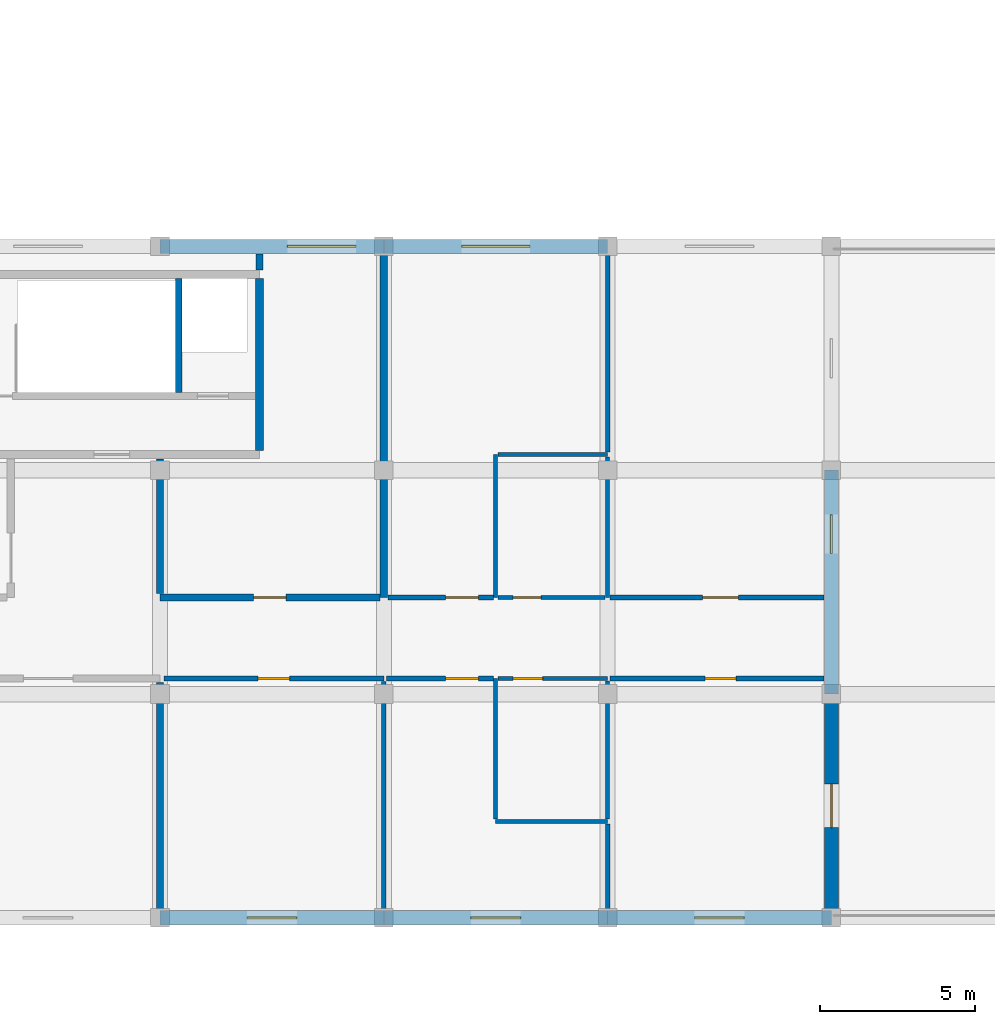
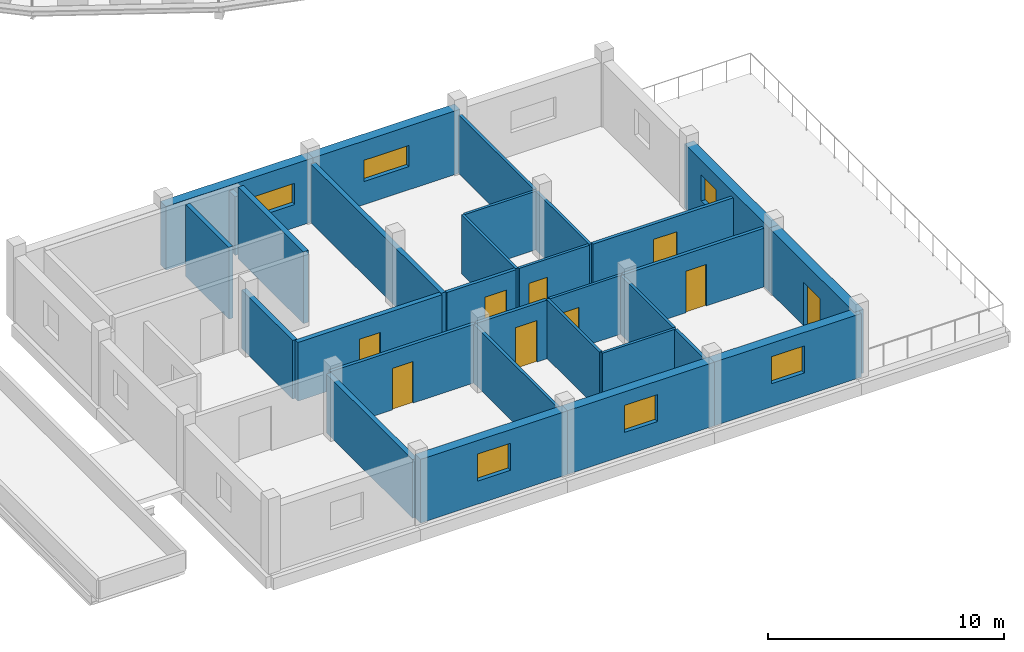
# One storey, part 75 of 93: 30 walls, 9 doors, 6 windows, 15 openings.
"""IFC4 building model written with IfcOpenShell, lengths in metres."""

from ifc_helpers import new_model, si_unit, direction, frame, frame_2d, origin, place, context, subcontext, project, spatial, rectangle, extrude, material, layer, layer_set, type_object, element, fill, save


model = new_model("IFC4")

# Units and contexts
model_context = context("Model", 3, precision=1e-05, world=origin(), true_north=direction((0.0, 1.0)))
body_context = subcontext(model_context, "Body", "Model", "MODEL_VIEW")
ifc_project = project(units=[si_unit("LENGTHUNIT", "METRE"), si_unit("AREAUNIT", "SQUARE_METRE"), si_unit("VOLUMEUNIT", "CUBIC_METRE"), si_unit("PLANEANGLEUNIT", "RADIAN"), si_unit("MASSUNIT", "GRAM", prefix="KILO")], contexts=[model_context])

# Site, building, storey
site_placement = place(None, origin())
site = spatial("IfcSite", under=ifc_project, at=site_placement, CompositionType="ELEMENT")
building_placement = place(site_placement, origin())
building = spatial("IfcBuilding", under=site, at=building_placement, Name="Zornivar Specialist Clinic", CompositionType="ELEMENT")
storey_placement = place(building_placement, frame((0.0, 0.0, 8.39990234375)))
storey = spatial("IfcBuildingStorey", under=building, at=storey_placement, Name="L02", CompositionType="ELEMENT", Elevation=8.39990234375)

# Wall, opening, window
ifc_material_1 = material(Name="Barium-shielded concrete C35/45", Category="concrete")
ifc_layer_1 = layer(ifc_material_1, 0.4599609375)
ifc_layer_set_1 = layer_set([ifc_layer_1], Name="Barium-shielded concrete C35/45")
wall_type_1 = type_object("IfcWallType", Name="EW-IMG-SHIELD-460", PredefinedType="SOLIDWALL", material=ifc_layer_set_1)
wall_1_placement = place(storey_placement, frame((64.800048828125, 0.0, 0.0), z_axis=(0.0, 0.0, 1.0), x_axis=(1.0, 0.0, 0.0)))
wall_1 = element("IfcWall", 1, at=wall_1_placement, inside=storey, type_object=wall_type_1, Name="ew:V3:L02:01", PredefinedType="SOLIDWALL", context=body_context, shape_type="SweptSolid", body=[
    extrude(rectangle(XDim=7.199951171875, YDim=0.4599609375, at=frame_2d((3.60009765625, 0.0))), origin(), (0.0, 0.0, 1.0), 3.300048828125),
])
opening_1_placement = place(wall_1_placement, frame((2.800048828125, 0.0, 1.199951171875)))
opening_1 = element("IfcOpeningElement", 2, at=opening_1_placement, cuts=wall_1, Name="Opening W-12", PredefinedType="OPENING", context=body_context, shape_type="SweptSolid", body=[
    extrude(rectangle(XDim=1.60009765625, YDim=1.39990234375, at=frame_2d((0.800048828125, 0.699951171875))), frame((0.0, 0.239990234375, 0.0), z_axis=(0.0, -1.0, 0.0), x_axis=(1.0, 0.0, 0.0)), (0.0, 0.0, 1.0), 0.47998046875),
])
ifc_material_2 = material(Name="Triple-Glazed Aluminium-Timber Window Glass", Category="wood")
window_type_1 = type_object("IfcWindowType", Name="WIN-IMG-SOUTH-1600x1400", PartitioningType="SINGLE_PANEL", PredefinedType="WINDOW", material=ifc_material_2)
window_1_placement = place(opening_1_placement, origin())
window_1 = element("IfcWindow", 3, at=window_1_placement, inside=storey, type_object=window_type_1, Name="win:V3:L02:01", OverallHeight=1.39990234375, OverallWidth=1.60009765625, PartitioningType="SINGLE_PANEL", PredefinedType="WINDOW", context=body_context, shape_type="SweptSolid", body=[
    extrude(rectangle(XDim=1.60009765625, YDim=1.39990234375, at=frame_2d((0.800048828125, 0.699951171875))), frame((0.0, 0.030029296875, 0.0), z_axis=(0.0, -1.0, 0.0), x_axis=(1.0, 0.0, 0.0)), (0.0, 0.0, 1.0), 0.06005859375),
])
fill(opening_1, window_1)

wall_2_placement = place(storey_placement, frame((72.0, 0.0, 0.0), z_axis=(0.0, 0.0, 1.0), x_axis=(1.0, 0.0, 0.0)))
wall_2 = element("IfcWall", 4, at=wall_2_placement, inside=storey, type_object=wall_type_1, Name="ew:V3:L02:02", PredefinedType="SOLIDWALL", context=body_context, shape_type="SweptSolid", body=[
    extrude(rectangle(XDim=7.199951171875, YDim=0.4599609375, at=frame_2d((3.60009765625, 0.0))), origin(), (0.0, 0.0, 1.0), 3.300048828125),
])
opening_2_placement = place(wall_2_placement, frame((2.800048828125, 0.0, 1.199951171875)))
opening_2 = element("IfcOpeningElement", 5, at=opening_2_placement, cuts=wall_2, Name="Opening W-12", PredefinedType="OPENING", context=body_context, shape_type="SweptSolid", body=[
    extrude(rectangle(XDim=1.60009765625, YDim=1.39990234375, at=frame_2d((0.800048828125, 0.699951171875))), frame((0.0, 0.239990234375, 0.0), z_axis=(0.0, -1.0, 0.0), x_axis=(1.0, 0.0, 0.0)), (0.0, 0.0, 1.0), 0.47998046875),
])
window_2_placement = place(opening_2_placement, origin())
window_2 = element("IfcWindow", 6, at=window_2_placement, inside=storey, type_object=window_type_1, Name="win:V3:L02:02", OverallHeight=1.39990234375, OverallWidth=1.60009765625, PartitioningType="SINGLE_PANEL", PredefinedType="WINDOW", context=body_context, shape_type="SweptSolid", body=[
    extrude(rectangle(XDim=1.60009765625, YDim=1.39990234375, at=frame_2d((0.800048828125, 0.699951171875))), frame((0.0, 0.030029296875, 0.0), z_axis=(0.0, -1.0, 0.0), x_axis=(1.0, 0.0, 0.0)), (0.0, 0.0, 1.0), 0.06005859375),
])
fill(opening_2, window_2)

wall_3_placement = place(storey_placement, frame((79.199951171875, 0.0, 0.0), z_axis=(0.0, 0.0, 1.0), x_axis=(1.0, 0.0, 0.0)))
wall_3 = element("IfcWall", 7, at=wall_3_placement, inside=storey, type_object=wall_type_1, Name="ew:V3:L02:03", PredefinedType="SOLIDWALL", context=body_context, shape_type="SweptSolid", body=[
    extrude(rectangle(XDim=7.199951171875, YDim=0.4599609375, at=frame_2d((3.60009765625, 0.0))), origin(), (0.0, 0.0, 1.0), 3.300048828125),
])
opening_3_placement = place(wall_3_placement, frame((2.800048828125, 0.0, 1.199951171875)))
opening_3 = element("IfcOpeningElement", 8, at=opening_3_placement, cuts=wall_3, Name="Opening W-12", PredefinedType="OPENING", context=body_context, shape_type="SweptSolid", body=[
    extrude(rectangle(XDim=1.60009765625, YDim=1.39990234375, at=frame_2d((0.800048828125, 0.699951171875))), frame((0.0, 0.239990234375, 0.0), z_axis=(0.0, -1.0, 0.0), x_axis=(1.0, 0.0, 0.0)), (0.0, 0.0, 1.0), 0.47998046875),
])
window_3_placement = place(opening_3_placement, origin())
window_3 = element("IfcWindow", 9, at=window_3_placement, inside=storey, type_object=window_type_1, Name="win:V3:L02:03", OverallHeight=1.39990234375, OverallWidth=1.60009765625, PartitioningType="SINGLE_PANEL", PredefinedType="WINDOW", context=body_context, shape_type="SweptSolid", body=[
    extrude(rectangle(XDim=1.60009765625, YDim=1.39990234375, at=frame_2d((0.800048828125, 0.699951171875))), frame((0.0, 0.030029296875, 0.0), z_axis=(0.0, -1.0, 0.0), x_axis=(1.0, 0.0, 0.0)), (0.0, 0.0, 1.0), 0.06005859375),
])
fill(opening_3, window_3)

# Wall, opening, door
wall_4_placement = place(storey_placement, frame((86.39990234375, 0.0, 0.0), z_axis=(0.0, 0.0, 1.0), x_axis=(0.0, 1.0, 0.0)))
wall_4 = element("IfcWall", 10, at=wall_4_placement, inside=storey, type_object=wall_type_1, Name="ew:V3:L02:04", PredefinedType="SOLIDWALL", context=body_context, shape_type="SweptSolid", body=[
    extrude(rectangle(XDim=7.199951171875, YDim=0.4599609375, at=frame_2d((3.60009765625, 0.0))), origin(), (0.0, 0.0, 1.0), 3.300048828125),
])
opening_4_placement = place(wall_4_placement, frame((2.89990234375, 0.0, 0.0)))
opening_4 = element("IfcOpeningElement", 11, at=opening_4_placement, cuts=wall_4, Name="Opening TD-01", PredefinedType="OPENING", context=body_context, shape_type="SweptSolid", body=[
    extrude(rectangle(XDim=1.39990234375, YDim=2.25, at=frame_2d((0.699951171875, 1.125))), frame((0.0, 0.239990234375, 0.0), z_axis=(0.0, -1.0, 0.0), x_axis=(1.0, 0.0, 0.0)), (0.0, 0.0, 1.0), 0.47998046875),
])
ifc_material_3 = material(Name="Thermally Broken Glazed Aluminium Door", Category="aluminium")
door_type_1 = type_object("IfcDoorType", Name="TD-TERR-1400x2250", OperationType="NOTDEFINED", PredefinedType="DOOR", material=ifc_material_3)
door_1_placement = place(opening_4_placement, origin())
door_1 = element("IfcDoor", 12, at=door_1_placement, inside=storey, type_object=door_type_1, Name="door:V3:L02:terr:0", OperationType="SINGLE_SWING_LEFT", OverallHeight=2.25, OverallWidth=1.39990234375, PredefinedType="DOOR", context=body_context, shape_type="SweptSolid", body=[
    extrude(rectangle(XDim=1.39990234375, YDim=2.25, at=frame_2d((0.699951171875, 1.125))), frame((0.0, 0.02490234375, 0.0), z_axis=(0.0, -1.0, 0.0), x_axis=(1.0, 0.0, 0.0)), (0.0, 0.0, 1.0), 0.050048828125),
])
fill(opening_4, door_1)

# Wall, opening, window
wall_5_placement = place(storey_placement, frame((86.39990234375, 7.199951171875, 0.0), z_axis=(0.0, 0.0, 1.0), x_axis=(0.0, 1.0, 0.0)))
wall_5 = element("IfcWall", 13, at=wall_5_placement, inside=storey, type_object=wall_type_1, Name="ew:V3:L02:05", PredefinedType="SOLIDWALL", context=body_context, shape_type="SweptSolid", body=[
    extrude(rectangle(XDim=7.199951171875, YDim=0.4599609375, at=frame_2d((3.60009765625, 0.0))), origin(), (0.0, 0.0, 1.0), 3.300048828125),
])
opening_5_placement = place(wall_5_placement, frame((4.52490234375, 0.0, 1.199951171875)))
opening_5 = element("IfcOpeningElement", 14, at=opening_5_placement, cuts=wall_5, Name="Opening W-14", PredefinedType="OPENING", context=body_context, shape_type="SweptSolid", body=[
    extrude(rectangle(XDim=1.25, YDim=1.35009765625, at=frame_2d((0.625, 0.675048828125))), frame((0.0, 0.239990234375, 0.0), z_axis=(0.0, -1.0, 0.0), x_axis=(1.0, 0.0, 0.0)), (0.0, 0.0, 1.0), 0.47998046875),
])
ifc_material_4 = material(Name="Triple-Glazed Aluminium-Timber Window Glass", Category="wood")
window_type_2 = type_object("IfcWindowType", Name="WIN-IMG-CTRL-1250x1350", PartitioningType="SINGLE_PANEL", PredefinedType="WINDOW", material=ifc_material_4)
window_4_placement = place(opening_5_placement, origin())
window_4 = element("IfcWindow", 15, at=window_4_placement, inside=storey, type_object=window_type_2, Name="win:V3:L02:05", OverallHeight=1.35009765625, OverallWidth=1.25, PartitioningType="SINGLE_PANEL", PredefinedType="WINDOW", context=body_context, shape_type="SweptSolid", body=[
    extrude(rectangle(XDim=1.25, YDim=1.35009765625, at=frame_2d((0.625, 0.675048828125))), frame((0.0, 0.030029296875, 0.0), z_axis=(0.0, -1.0, 0.0), x_axis=(1.0, 0.0, 0.0)), (0.0, 0.0, 1.0), 0.06005859375),
])
fill(opening_5, window_4)

wall_6_placement = place(storey_placement, frame((79.199951171875, 21.60009765625, 0.0), z_axis=(0.0, 0.0, 1.0), x_axis=(-1.0, 0.0, 0.0)))
wall_6 = element("IfcWall", 16, at=wall_6_placement, inside=storey, type_object=wall_type_1, Name="ew:V3:L02:08", PredefinedType="SOLIDWALL", context=body_context, shape_type="SweptSolid", body=[
    extrude(rectangle(XDim=7.199951171875, YDim=0.4599609375, at=frame_2d((3.60009765625, 0.0))), origin(), (0.0, 0.0, 1.0), 3.300048828125),
])
opening_6_placement = place(wall_6_placement, frame((2.5, 0.0, 1.199951171875)))
opening_6 = element("IfcOpeningElement", 17, at=opening_6_placement, cuts=wall_6, Name="Opening W-13", PredefinedType="OPENING", context=body_context, shape_type="SweptSolid", body=[
    extrude(rectangle(XDim=2.199951171875, YDim=1.10009765625, at=frame_2d((1.10009765625, 0.550048828125))), frame((0.0, 0.239990234375, 0.0), z_axis=(0.0, -1.0, 0.0), x_axis=(1.0, 0.0, 0.0)), (0.0, 0.0, 1.0), 0.47998046875),
])
ifc_material_5 = material(Name="Triple-Glazed Aluminium-Timber Window Glass", Category="wood")
window_type_3 = type_object("IfcWindowType", Name="WIN-IMG-CLER-2200x1100", PartitioningType="SINGLE_PANEL", PredefinedType="WINDOW", material=ifc_material_5)
window_5_placement = place(opening_6_placement, origin())
window_5 = element("IfcWindow", 18, at=window_5_placement, inside=storey, type_object=window_type_3, Name="win:V3:L02:08", OverallHeight=1.10009765625, OverallWidth=2.199951171875, PartitioningType="SINGLE_PANEL", PredefinedType="WINDOW", context=body_context, shape_type="SweptSolid", body=[
    extrude(rectangle(XDim=2.199951171875, YDim=1.10009765625, at=frame_2d((1.10009765625, 0.550048828125))), frame((0.0, 0.030029296875, 0.0), z_axis=(0.0, -1.0, 0.0), x_axis=(1.0, 0.0, 0.0)), (0.0, 0.0, 1.0), 0.06005859375),
])
fill(opening_6, window_5)

wall_7_placement = place(storey_placement, frame((72.0, 21.60009765625, 0.0), z_axis=(0.0, 0.0, 1.0), x_axis=(-1.0, 0.0, 0.0)))
wall_7 = element("IfcWall", 19, at=wall_7_placement, inside=storey, type_object=wall_type_1, Name="ew:V3:L02:09", PredefinedType="SOLIDWALL", context=body_context, shape_type="SweptSolid", body=[
    extrude(rectangle(XDim=7.199951171875, YDim=0.4599609375, at=frame_2d((3.60009765625, 0.0))), origin(), (0.0, 0.0, 1.0), 3.300048828125),
])
opening_7_placement = place(wall_7_placement, frame((0.89990234375, 0.0, 1.199951171875)))
opening_7 = element("IfcOpeningElement", 20, at=opening_7_placement, cuts=wall_7, Name="Opening W-13", PredefinedType="OPENING", context=body_context, shape_type="SweptSolid", body=[
    extrude(rectangle(XDim=2.199951171875, YDim=1.10009765625, at=frame_2d((1.10009765625, 0.550048828125))), frame((0.0, 0.239990234375, 0.0), z_axis=(0.0, -1.0, 0.0), x_axis=(1.0, 0.0, 0.0)), (0.0, 0.0, 1.0), 0.47998046875),
])
window_6_placement = place(opening_7_placement, origin())
window_6 = element("IfcWindow", 21, at=window_6_placement, inside=storey, type_object=window_type_3, Name="win:V3:L02:09", OverallHeight=1.10009765625, OverallWidth=2.199951171875, PartitioningType="SINGLE_PANEL", PredefinedType="WINDOW", context=body_context, shape_type="SweptSolid", body=[
    extrude(rectangle(XDim=2.199951171875, YDim=1.10009765625, at=frame_2d((1.10009765625, 0.550048828125))), frame((0.0, 0.030029296875, 0.0), z_axis=(0.0, -1.0, 0.0), x_axis=(1.0, 0.0, 0.0)), (0.0, 0.0, 1.0), 0.06005859375),
])
fill(opening_7, window_6)

# Walls
ifc_material_6 = material(Name="Acoustic Clinical Stud Partition")
ifc_layer_2 = layer(ifc_material_6, 0.139892578125)
ifc_layer_set_2 = layer_set([ifc_layer_2], Name="Acoustic Clinical Stud Partition")
wall_type_2 = type_object("IfcWallType", Name="IW-CLIN-140", PredefinedType="PARTITIONING", material=ifc_layer_set_2)
wall_8_placement = place(storey_placement, frame((72.0, 7.60595703125, 0.0), z_axis=(0.0, 0.0, 1.0), x_axis=(0.0, -1.0, 0.0)))
element("IfcWall", 22, at=wall_8_placement, inside=storey, type_object=wall_type_2, Name="iw:L02:090", PredefinedType="PARTITIONING", context=body_context, shape_type="SweptSolid", body=[
    extrude(rectangle(XDim=7.36083984375, YDim=0.139892578125, at=frame_2d((3.680419921875, 0.0))), origin(), (0.0, 0.0, 1.0), 3.0400390625),
])
wall_9_placement = place(storey_placement, frame((79.199951171875, 3.02099609375, 0.0), z_axis=(0.0, 0.0, 1.0), x_axis=(0.0, -1.0, 0.0)))
element("IfcWall", 23, at=wall_9_placement, inside=storey, type_object=wall_type_2, Name="iw:L02:099", PredefinedType="PARTITIONING", context=body_context, shape_type="SweptSolid", body=[
    extrude(rectangle(XDim=2.77587890625, YDim=0.139892578125, at=frame_2d((1.387939453125, 0.0))), origin(), (0.0, 0.0, 1.0), 3.0400390625),
])
wall_10_placement = place(storey_placement, frame((79.199951171875, 21.35498046875, 0.0), z_axis=(0.0, 0.0, 1.0), x_axis=(0.0, -1.0, 0.0)))
element("IfcWall", 24, at=wall_10_placement, inside=storey, type_object=wall_type_2, Name="iw:L02:106", PredefinedType="PARTITIONING", context=body_context, shape_type="SweptSolid", body=[
    extrude(rectangle(XDim=6.3759765625, YDim=0.139892578125, at=frame_2d((3.18798828125, 0.0))), origin(), (0.0, 0.0, 1.0), 3.0400390625),
])

# Wall, opening, door
ifc_material_7 = material(Name="Gypsum Fire-Rated Double Stud Partition")
ifc_layer_3 = layer(ifc_material_7, 0.159912109375)
ifc_layer_set_3 = layer_set([ifc_layer_3], Name="Gypsum Fire-Rated Double Stud Partition")
wall_type_3 = type_object("IfcWallType", Name="IW-CORR-EI60-160", PredefinedType="PARTITIONING", material=ifc_layer_set_3)
wall_11_placement = place(storey_placement, frame((64.928955078125, 7.699951171875, 0.0), z_axis=(0.0, 0.0, 1.0), x_axis=(1.0, 0.0, 0.0)))
wall_11 = element("IfcWall", 25, at=wall_11_placement, inside=storey, type_object=wall_type_3, Name="iw:L02:089", PredefinedType="PARTITIONING", context=body_context, shape_type="SweptSolid", body=[
    extrude(rectangle(XDim=7.071044921875, YDim=0.159912109375, at=frame_2d((3.53564453125, 0.0))), origin(), (0.0, 0.0, 1.0), 3.0400390625),
])
opening_8_placement = place(wall_11_placement, frame((3.02490234375, 0.0, 0.0)))
opening_8 = element("IfcOpeningElement", 26, at=opening_8_placement, cuts=wall_11, Name="Opening ID-14", PredefinedType="OPENING", context=body_context, shape_type="SweptSolid", body=[
    extrude(rectangle(XDim=1.02001953125, YDim=2.14990234375, at=frame_2d((0.510009765625, 1.074951171875))), frame((0.0, 0.08984375, 0.0), z_axis=(0.0, -1.0, 0.0), x_axis=(1.0, 0.0, 0.0)), (0.0, 0.0, 1.0), 0.179931640625),
])
ifc_material_8 = material(Name="Solid-Core Hygienic Laminate Timber Door", Category="wood")
door_type_2 = type_object("IfcDoorType", Name="ID-OFFICE-1020x2150", OperationType="NOTDEFINED", PredefinedType="DOOR", material=ifc_material_8)
door_2_placement = place(opening_8_placement, origin())
door_2 = element("IfcDoor", 27, at=door_2_placement, inside=storey, type_object=door_type_2, Name="door:space:V3:L02:rm:02", OperationType="SINGLE_SWING_RIGHT", OverallHeight=2.14990234375, OverallWidth=1.02001953125, PredefinedType="DOOR", context=body_context, shape_type="SweptSolid", body=[
    extrude(rectangle(XDim=1.02001953125, YDim=2.14990234375, at=frame_2d((0.510009765625, 1.074951171875))), frame((0.0, 0.02490234375, 0.0), z_axis=(0.0, -1.0, 0.0), x_axis=(1.0, 0.0, 0.0)), (0.0, 0.0, 1.0), 0.050048828125),
])
fill(opening_8, door_2)

wall_12_placement = place(storey_placement, frame((72.083984375, 7.699951171875, 0.0), z_axis=(0.0, 0.0, 1.0), x_axis=(1.0, 0.0, 0.0)))
wall_12 = element("IfcWall", 28, at=wall_12_placement, inside=storey, type_object=wall_type_3, Name="iw:L02:100", PredefinedType="PARTITIONING", context=body_context, shape_type="SweptSolid", body=[
    extrude(rectangle(XDim=3.43701171875, YDim=0.159912109375, at=frame_2d((1.718505859375, 0.0))), origin(), (0.0, 0.0, 1.0), 3.0400390625),
])
opening_9_placement = place(wall_12_placement, frame((1.906982421875, 0.0, 0.0)))
opening_9 = element("IfcOpeningElement", 29, at=opening_9_placement, cuts=wall_12, Name="Opening ID-03", PredefinedType="OPENING", context=body_context, shape_type="SweptSolid", body=[
    extrude(rectangle(XDim=1.050048828125, YDim=2.14990234375, at=frame_2d((0.52490234375, 1.074951171875))), frame((0.0, 0.08984375, 0.0), z_axis=(0.0, -1.0, 0.0), x_axis=(1.0, 0.0, 0.0)), (0.0, 0.0, 1.0), 0.179931640625),
])
ifc_material_9 = material(Name="Solid-Core Hygienic Laminate Timber Door", Category="wood")
door_type_3 = type_object("IfcDoorType", Name="ID-CONS-1050x2150", OperationType="NOTDEFINED", PredefinedType="DOOR", material=ifc_material_9)
door_3_placement = place(opening_9_placement, origin())
door_3 = element("IfcDoor", 30, at=door_3_placement, inside=storey, type_object=door_type_3, Name="door:space:V3:L02:rm:04b", OperationType="SINGLE_SWING_LEFT", OverallHeight=2.14990234375, OverallWidth=1.050048828125, PredefinedType="DOOR", context=body_context, shape_type="SweptSolid", body=[
    extrude(rectangle(XDim=1.050048828125, YDim=2.14990234375, at=frame_2d((0.52490234375, 1.074951171875))), frame((0.0, 0.02490234375, 0.0), z_axis=(0.0, -1.0, 0.0), x_axis=(1.0, 0.0, 0.0)), (0.0, 0.0, 1.0), 0.050048828125),
])
fill(opening_9, door_3)

wall_13_placement = place(storey_placement, frame((75.52099609375, 10.300048828125, 0.0), z_axis=(0.0, 0.0, 1.0), x_axis=(-1.0, 0.0, 0.0)))
wall_13 = element("IfcWall", 31, at=wall_13_placement, inside=storey, type_object=wall_type_3, Name="iw:L02:105", PredefinedType="PARTITIONING", context=body_context, shape_type="SweptSolid", body=[
    extrude(rectangle(XDim=3.39208984375, YDim=0.159912109375, at=frame_2d((1.696044921875, 0.0))), origin(), (0.0, 0.0, 1.0), 3.0400390625),
])
opening_10_placement = place(wall_13_placement, frame((0.47998046875, 0.0, 0.0)))
opening_10 = element("IfcOpeningElement", 32, at=opening_10_placement, cuts=wall_13, Name="Opening ID-03", PredefinedType="OPENING", context=body_context, shape_type="SweptSolid", body=[
    extrude(rectangle(XDim=1.050048828125, YDim=2.14990234375, at=frame_2d((0.52490234375, 1.074951171875))), frame((0.0, 0.08984375, 0.0), z_axis=(0.0, -1.0, 0.0), x_axis=(1.0, 0.0, 0.0)), (0.0, 0.0, 1.0), 0.179931640625),
])
door_4_placement = place(opening_10_placement, origin())
door_4 = element("IfcDoor", 33, at=door_4_placement, inside=storey, type_object=door_type_3, Name="door:space:V3:L02:rm:06b", OperationType="SINGLE_SWING_LEFT", OverallHeight=2.14990234375, OverallWidth=1.050048828125, PredefinedType="DOOR", context=body_context, shape_type="SweptSolid", body=[
    extrude(rectangle(XDim=1.050048828125, YDim=2.14990234375, at=frame_2d((0.52490234375, 1.074951171875))), frame((0.0, 0.02490234375, 0.0), z_axis=(0.0, -1.0, 0.0), x_axis=(1.0, 0.0, 0.0)), (0.0, 0.0, 1.0), 0.050048828125),
])
fill(opening_10, door_4)

wall_14_placement = place(storey_placement, frame((79.279052734375, 7.699951171875, 0.0), z_axis=(0.0, 0.0, 1.0), x_axis=(1.0, 0.0, 0.0)))
wall_14 = element("IfcWall", 34, at=wall_14_placement, inside=storey, type_object=wall_type_3, Name="iw:L02:107", PredefinedType="PARTITIONING", context=body_context, shape_type="SweptSolid", body=[
    extrude(rectangle(XDim=6.8759765625, YDim=0.159912109375, at=frame_2d((3.43798828125, 0.0))), origin(), (0.0, 0.0, 1.0), 3.0400390625),
])
opening_11_placement = place(wall_14_placement, frame((3.054931640625, 0.0, 0.0)))
opening_11 = element("IfcOpeningElement", 35, at=opening_11_placement, cuts=wall_14, Name="Opening ID-04", PredefinedType="OPENING", context=body_context, shape_type="SweptSolid", body=[
    extrude(rectangle(XDim=1.0, YDim=2.14990234375, at=frame_2d((0.5, 1.074951171875))), frame((0.0, 0.08984375, 0.0), z_axis=(0.0, -1.0, 0.0), x_axis=(1.0, 0.0, 0.0)), (0.0, 0.0, 1.0), 0.179931640625),
])
ifc_material_10 = material(Name="Solid-Core Hygienic Laminate Timber Door", Category="wood")
door_type_4 = type_object("IfcDoorType", Name="ID-EXAM-1000x2150", OperationType="NOTDEFINED", PredefinedType="DOOR", material=ifc_material_10)
door_5_placement = place(opening_11_placement, origin())
door_5 = element("IfcDoor", 36, at=door_5_placement, inside=storey, type_object=door_type_4, Name="door:space:V3:L02:rm:08", OperationType="SINGLE_SWING_RIGHT", OverallHeight=2.14990234375, OverallWidth=1.0, PredefinedType="DOOR", context=body_context, shape_type="SweptSolid", body=[
    extrude(rectangle(XDim=1.0, YDim=2.14990234375, at=frame_2d((0.5, 1.074951171875))), frame((0.0, 0.02490234375, 0.0), z_axis=(0.0, -1.0, 0.0), x_axis=(1.0, 0.0, 0.0)), (0.0, 0.0, 1.0), 0.050048828125),
])
fill(opening_11, door_5)

wall_15_placement = place(storey_placement, frame((86.155029296875, 10.300048828125, 0.0), z_axis=(0.0, 0.0, 1.0), x_axis=(-1.0, 0.0, 0.0)))
wall_15 = element("IfcWall", 37, at=wall_15_placement, inside=storey, type_object=wall_type_3, Name="iw:L02:108", PredefinedType="PARTITIONING", context=body_context, shape_type="SweptSolid", body=[
    extrude(rectangle(XDim=6.8759765625, YDim=0.159912109375, at=frame_2d((3.43798828125, 0.0))), origin(), (0.0, 0.0, 1.0), 3.0400390625),
])
opening_12_placement = place(wall_15_placement, frame((2.75, 0.0, 0.0)))
opening_12 = element("IfcOpeningElement", 38, at=opening_12_placement, cuts=wall_15, Name="Opening ID-06", PredefinedType="OPENING", context=body_context, shape_type="SweptSolid", body=[
    extrude(rectangle(XDim=1.14990234375, YDim=2.25, at=frame_2d((0.574951171875, 1.125))), frame((0.0, 0.08984375, 0.0), z_axis=(0.0, -1.0, 0.0), x_axis=(1.0, 0.0, 0.0)), (0.0, 0.0, 1.0), 0.179931640625),
])
ifc_material_11 = material(Name="Solid-Core Hygienic Laminate Timber Door", Category="wood")
door_type_5 = type_object("IfcDoorType", Name="ID-LAB-1150x2250", OperationType="NOTDEFINED", PredefinedType="DOOR", material=ifc_material_11)
door_6_placement = place(opening_12_placement, origin())
door_6 = element("IfcDoor", 39, at=door_6_placement, inside=storey, type_object=door_type_5, Name="door:space:V3:L02:rm:09", OperationType="SINGLE_SWING_LEFT", OverallHeight=2.25, OverallWidth=1.14990234375, PredefinedType="DOOR", context=body_context, shape_type="SweptSolid", body=[
    extrude(rectangle(XDim=1.14990234375, YDim=2.25, at=frame_2d((0.574951171875, 1.125))), frame((0.0, 0.02490234375, 0.0), z_axis=(0.0, -1.0, 0.0), x_axis=(1.0, 0.0, 0.0)), (0.0, 0.0, 1.0), 0.050048828125),
])
fill(opening_12, door_6)

# Walls
ifc_material_12 = material(Name="Barium-Plaster Shielded Diagnostic Partition")
ifc_layer_4 = layer(ifc_material_12, 0.22998046875)
ifc_layer_set_4 = layer_set([ifc_layer_4], Name="Barium-Plaster Shielded Diagnostic Partition")
wall_type_4 = type_object("IfcWallType", Name="IW-IMG-LEAD-230", PredefinedType="PARTITIONING", material=ifc_layer_set_4)
wall_16_placement = place(storey_placement, frame((64.800048828125, 7.571044921875, 0.0), z_axis=(0.0, 0.0, 1.0), x_axis=(0.0, -1.0, 0.0)))
element("IfcWall", 40, at=wall_16_placement, inside=storey, type_object=wall_type_4, Name="iw:L02:085", PredefinedType="PARTITIONING", context=body_context, shape_type="SweptSolid", body=[
    extrude(rectangle(XDim=7.325927734375, YDim=0.22998046875, at=frame_2d((3.6630859375, 0.0))), origin(), (0.0, 0.0, 1.0), 3.0400390625),
])
wall_17_placement = place(storey_placement, frame((72.0, 21.35498046875, 0.0), z_axis=(0.0, 0.0, 1.0), x_axis=(0.0, -1.0, 0.0)))
element("IfcWall", 41, at=wall_17_placement, inside=storey, type_object=wall_type_4, Name="iw:L02:091", PredefinedType="PARTITIONING", context=body_context, shape_type="SweptSolid", body=[
    extrude(rectangle(XDim=11.054931640625, YDim=0.22998046875, at=frame_2d((5.52734375, 0.0))), origin(), (0.0, 0.0, 1.0), 3.0400390625),
])

# Wall, opening, door
wall_18_placement = place(storey_placement, frame((71.87109375, 10.300048828125, 0.0), z_axis=(0.0, 0.0, 1.0), x_axis=(-1.0, 0.0, 0.0)))
wall_18 = element("IfcWall", 42, at=wall_18_placement, inside=storey, type_object=wall_type_4, Name="iw:L02:092", PredefinedType="PARTITIONING", context=body_context, shape_type="SweptSolid", body=[
    extrude(rectangle(XDim=7.071044921875, YDim=0.22998046875, at=frame_2d((3.53564453125, 0.0))), origin(), (0.0, 0.0, 1.0), 3.0400390625),
])
opening_13_placement = place(wall_18_placement, frame((3.010009765625, 0.0, 0.0)))
opening_13 = element("IfcOpeningElement", 43, at=opening_13_placement, cuts=wall_18, Name="Opening ID-03", PredefinedType="OPENING", context=body_context, shape_type="SweptSolid", body=[
    extrude(rectangle(XDim=1.050048828125, YDim=2.14990234375, at=frame_2d((0.52490234375, 1.074951171875))), frame((0.0, 0.125, 0.0), z_axis=(0.0, -1.0, 0.0), x_axis=(1.0, 0.0, 0.0)), (0.0, 0.0, 1.0), 0.25),
])
door_7_placement = place(opening_13_placement, origin())
door_7 = element("IfcDoor", 44, at=door_7_placement, inside=storey, type_object=door_type_3, Name="door:space:V3:L02:rm:03", OperationType="SINGLE_SWING_LEFT", OverallHeight=2.14990234375, OverallWidth=1.050048828125, PredefinedType="DOOR", context=body_context, shape_type="SweptSolid", body=[
    extrude(rectangle(XDim=1.050048828125, YDim=2.14990234375, at=frame_2d((0.52490234375, 1.074951171875))), frame((0.0, 0.02490234375, 0.0), z_axis=(0.0, -1.0, 0.0), x_axis=(1.0, 0.0, 0.0)), (0.0, 0.0, 1.0), 0.050048828125),
])
fill(opening_13, door_7)

# Walls
wall_19_placement = place(storey_placement, frame((64.800048828125, 10.428955078125, 0.0), z_axis=(0.0, 0.0, 1.0), x_axis=(0.0, 1.0, 0.0)))
element("IfcWall", 45, at=wall_19_placement, inside=storey, type_object=wall_type_4, Name="iw:L02:093", PredefinedType="PARTITIONING", context=body_context, shape_type="SweptSolid", body=[
    extrude(rectangle(XDim=4.325927734375, YDim=0.22998046875, at=frame_2d((2.1630859375, 0.0))), origin(), (0.0, 0.0, 1.0), 3.0400390625),
])
wall_20_placement = place(storey_placement, frame((68.0, 20.844970703125, 0.0), z_axis=(0.0, 0.0, 1.0), x_axis=(0.0, 1.0, 0.0)))
element("IfcWall", 46, at=wall_20_placement, inside=storey, type_object=wall_type_4, Name="iw:L02:094", PredefinedType="PARTITIONING", context=body_context, shape_type="SweptSolid", body=[
    extrude(rectangle(XDim=0.510009765625, YDim=0.22998046875, at=frame_2d((0.2548828125, 0.0))), origin(), (0.0, 0.0, 1.0), 3.0400390625),
])
ifc_material_13 = material(Name="Moisture-Resistant Sanitary Partition")
ifc_layer_5 = layer(ifc_material_13, 0.1298828125)
ifc_layer_set_5 = layer_set([ifc_layer_5], Name="Moisture-Resistant Sanitary Partition")
wall_type_5 = type_object("IfcWallType", Name="IW-WET-130", PredefinedType="PARTITIONING", material=ifc_layer_set_5)
wall_21_placement = place(storey_placement, frame((79.199951171875, 3.10009765625, 0.0), z_axis=(0.0, 0.0, 1.0), x_axis=(-1.0, 0.0, 0.0)))
element("IfcWall", 47, at=wall_21_placement, inside=storey, type_object=wall_type_5, Name="iw:L02:095", PredefinedType="PARTITIONING", context=body_context, shape_type="SweptSolid", body=[
    extrude(rectangle(XDim=3.599853515625, YDim=0.1298828125, at=frame_2d((1.7998046875, 0.0))), origin(), (0.0, 0.0, 1.0), 3.0400390625),
])
wall_22_placement = place(storey_placement, frame((75.60009765625, 3.178955078125, 0.0), z_axis=(0.0, 0.0, 1.0), x_axis=(0.0, 1.0, 0.0)))
element("IfcWall", 48, at=wall_22_placement, inside=storey, type_object=wall_type_5, Name="iw:L02:096", PredefinedType="PARTITIONING", context=body_context, shape_type="SweptSolid", body=[
    extrude(rectangle(XDim=4.52099609375, YDim=0.1298828125, at=frame_2d((2.260498046875, 0.0))), origin(), (0.0, 0.0, 1.0), 3.0400390625),
])

# Wall, opening, door
wall_23_placement = place(storey_placement, frame((75.678955078125, 7.699951171875, 0.0), z_axis=(0.0, 0.0, 1.0), x_axis=(1.0, 0.0, 0.0)))
wall_23 = element("IfcWall", 49, at=wall_23_placement, inside=storey, type_object=wall_type_5, Name="iw:L02:097", PredefinedType="PARTITIONING", context=body_context, shape_type="SweptSolid", body=[
    extrude(rectangle(XDim=3.52099609375, YDim=0.1298828125, at=frame_2d((1.760498046875, 0.0))), origin(), (0.0, 0.0, 1.0), 3.0400390625),
])
opening_14_placement = place(wall_23_placement, frame((0.47998046875, 0.0, 0.0)))
opening_14 = element("IfcOpeningElement", 50, at=opening_14_placement, cuts=wall_23, Name="Opening ID-07", PredefinedType="OPENING", context=body_context, shape_type="SweptSolid", body=[
    extrude(rectangle(XDim=0.949951171875, YDim=2.10009765625, at=frame_2d((0.47509765625, 1.050048828125))), frame((0.0, 0.074951171875, 0.0), z_axis=(0.0, -1.0, 0.0), x_axis=(1.0, 0.0, 0.0)), (0.0, 0.0, 1.0), 0.14990234375),
])
ifc_material_14 = material(Name="Solid-Core Hygienic Laminate Timber Door", Category="wood")
door_type_6 = type_object("IfcDoorType", Name="ID-WC-ACC-0950x2100", OperationType="NOTDEFINED", PredefinedType="DOOR", material=ifc_material_14)
door_8_placement = place(opening_14_placement, origin())
door_8 = element("IfcDoor", 51, at=door_8_placement, inside=storey, type_object=door_type_6, Name="door:space:V3:L02:rm:04", OperationType="SINGLE_SWING_RIGHT", OverallHeight=2.10009765625, OverallWidth=0.949951171875, PredefinedType="DOOR", context=body_context, shape_type="SweptSolid", body=[
    extrude(rectangle(XDim=0.949951171875, YDim=2.10009765625, at=frame_2d((0.47509765625, 1.050048828125))), frame((0.0, 0.02490234375, 0.0), z_axis=(0.0, -1.0, 0.0), x_axis=(1.0, 0.0, 0.0)), (0.0, 0.0, 1.0), 0.050048828125),
])
fill(opening_14, door_8)

# Walls
wall_24_placement = place(storey_placement, frame((79.199951171875, 7.62109375, 0.0), z_axis=(0.0, 0.0, 1.0), x_axis=(0.0, -1.0, 0.0)))
element("IfcWall", 52, at=wall_24_placement, inside=storey, type_object=wall_type_5, Name="iw:L02:098", PredefinedType="PARTITIONING", context=body_context, shape_type="SweptSolid", body=[
    extrude(rectangle(XDim=4.442138671875, YDim=0.1298828125, at=frame_2d((2.22119140625, 0.0))), origin(), (0.0, 0.0, 1.0), 3.0400390625),
])
wall_25_placement = place(storey_placement, frame((75.60009765625, 10.300048828125, 0.0), z_axis=(0.0, 0.0, 1.0), x_axis=(0.0, 1.0, 0.0)))
element("IfcWall", 53, at=wall_25_placement, inside=storey, type_object=wall_type_5, Name="iw:L02:101", PredefinedType="PARTITIONING", context=body_context, shape_type="SweptSolid", body=[
    extrude(rectangle(XDim=4.599853515625, YDim=0.1298828125, at=frame_2d((2.2998046875, 0.0))), origin(), (0.0, 0.0, 1.0), 3.0400390625),
])
wall_26_placement = place(storey_placement, frame((75.678955078125, 14.89990234375, 0.0), z_axis=(0.0, 0.0, 1.0), x_axis=(1.0, 0.0, 0.0)))
element("IfcWall", 54, at=wall_26_placement, inside=storey, type_object=wall_type_5, Name="iw:L02:102", PredefinedType="PARTITIONING", context=body_context, shape_type="SweptSolid", body=[
    extrude(rectangle(XDim=3.52099609375, YDim=0.1298828125, at=frame_2d((1.760498046875, 0.0))), origin(), (0.0, 0.0, 1.0), 3.0400390625),
])
wall_27_placement = place(storey_placement, frame((79.199951171875, 14.821044921875, 0.0), z_axis=(0.0, 0.0, 1.0), x_axis=(0.0, -1.0, 0.0)))
element("IfcWall", 55, at=wall_27_placement, inside=storey, type_object=wall_type_5, Name="iw:L02:103", PredefinedType="PARTITIONING", context=body_context, shape_type="SweptSolid", body=[
    extrude(rectangle(XDim=4.52099609375, YDim=0.1298828125, at=frame_2d((2.260498046875, 0.0))), origin(), (0.0, 0.0, 1.0), 3.0400390625),
])

# Wall, opening, door
wall_28_placement = place(storey_placement, frame((79.12109375, 10.300048828125, 0.0), z_axis=(0.0, 0.0, 1.0), x_axis=(-1.0, 0.0, 0.0)))
wall_28 = element("IfcWall", 56, at=wall_28_placement, inside=storey, type_object=wall_type_5, Name="iw:L02:104", PredefinedType="PARTITIONING", context=body_context, shape_type="SweptSolid", body=[
    extrude(rectangle(XDim=3.442138671875, YDim=0.1298828125, at=frame_2d((1.72119140625, 0.0))), origin(), (0.0, 0.0, 1.0), 3.0400390625),
])
opening_15_placement = place(wall_28_placement, frame((2.06201171875, 0.0, 0.0)))
opening_15 = element("IfcOpeningElement", 57, at=opening_15_placement, cuts=wall_28, Name="Opening ID-08", PredefinedType="OPENING", context=body_context, shape_type="SweptSolid", body=[
    extrude(rectangle(XDim=0.89990234375, YDim=2.10009765625, at=frame_2d((0.449951171875, 1.050048828125))), frame((0.0, 0.074951171875, 0.0), z_axis=(0.0, -1.0, 0.0), x_axis=(1.0, 0.0, 0.0)), (0.0, 0.0, 1.0), 0.14990234375),
])
ifc_material_15 = material(Name="Solid-Core Hygienic Laminate Timber Door", Category="wood")
door_type_7 = type_object("IfcDoorType", Name="ID-WC-STD-0900x2100", OperationType="NOTDEFINED", PredefinedType="DOOR", material=ifc_material_15)
door_9_placement = place(opening_15_placement, origin())
door_9 = element("IfcDoor", 58, at=door_9_placement, inside=storey, type_object=door_type_7, Name="door:space:V3:L02:rm:06", OperationType="SINGLE_SWING_RIGHT", OverallHeight=2.10009765625, OverallWidth=0.89990234375, PredefinedType="DOOR", context=body_context, shape_type="SweptSolid", body=[
    extrude(rectangle(XDim=0.89990234375, YDim=2.10009765625, at=frame_2d((0.449951171875, 1.050048828125))), frame((0.0, 0.02490234375, 0.0), z_axis=(0.0, -1.0, 0.0), x_axis=(1.0, 0.0, 0.0)), (0.0, 0.0, 1.0), 0.050048828125),
])
fill(opening_15, door_9)

# Walls
ifc_material_16 = material(Name="Concrete C35/45", Category="concrete")
ifc_layer_6 = layer(ifc_material_16, 0.260009765625)
ifc_layer_set_6 = layer_set([ifc_layer_6], Name="Concrete C35/45")
wall_type_6 = type_object("IfcWallType", Name="SW-CORE-260", PredefinedType="SHEAR", material=ifc_layer_set_6)
wall_29_placement = place(storey_placement, frame((68.0, 15.030029296875, 0.0), z_axis=(0.0, 0.0, 1.0), x_axis=(0.0, 1.0, 0.0)))
element("IfcWall", 59, at=wall_29_placement, inside=storey, type_object=wall_type_6, Name="sw:C5:L02:w1", PredefinedType="SHEAR", context=body_context, shape_type="SweptSolid", body=[
    extrude(rectangle(XDim=5.5400390625, YDim=0.260009765625, at=frame_2d((2.77001953125, 0.0))), origin(), (0.0, 0.0, 1.0), 3.72021484375),
])
ifc_material_17 = material(Name="Concrete C30/37", Category="concrete")
ifc_layer_7 = layer(ifc_material_17, 0.199951171875)
ifc_layer_set_7 = layer_set([ifc_layer_7], Name="Concrete C30/37")
wall_type_7 = type_object("IfcWallType", Name="SW-LIFT-200", PredefinedType="SHEAR", material=ifc_layer_set_7)
wall_30_placement = place(storey_placement, frame((65.39990234375, 16.89990234375, 0.0), z_axis=(0.0, 0.0, 1.0), x_axis=(0.0, 1.0, 0.0)))
element("IfcWall", 60, at=wall_30_placement, inside=storey, type_object=wall_type_7, Name="sw:C5:L02:sdiv", PredefinedType="SHEAR", context=body_context, shape_type="SweptSolid", body=[
    extrude(rectangle(XDim=3.670166015625, YDim=0.199951171875, at=frame_2d((1.8349609375, 0.0))), origin(), (0.0, 0.0, 1.0), 3.72021484375),
])

save(model, "model.ifc")
